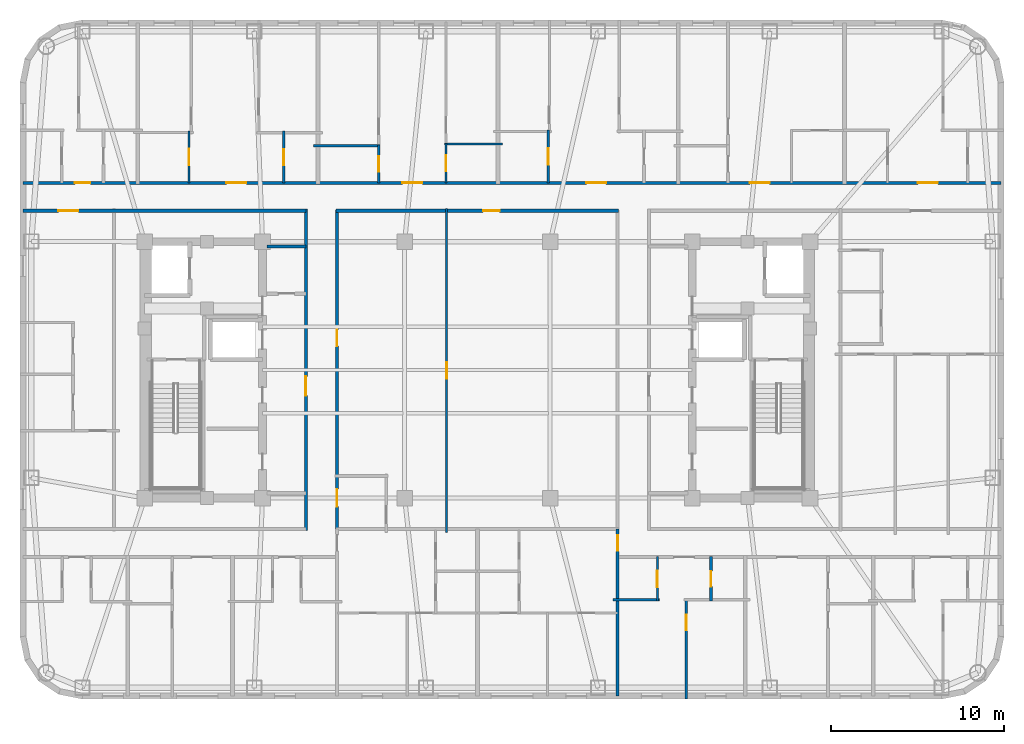
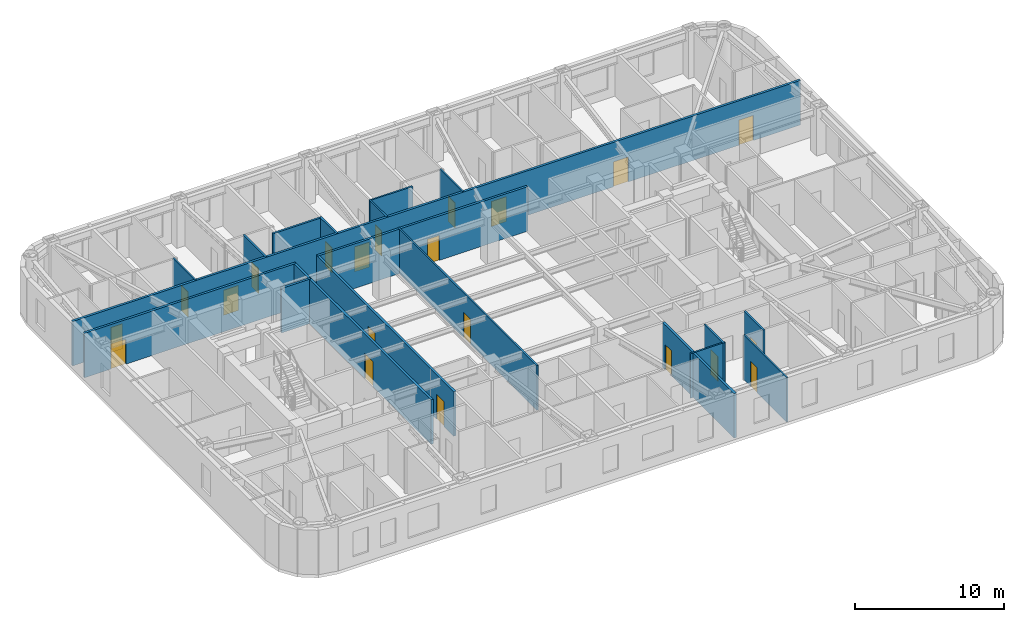
# One storey, part 5 of 11: 21 doors, 19 walls, 21 openings.
"""IFC4 building model written with IfcOpenShell, lengths in metres."""

from ifc_helpers import new_model, si_unit, direction, frame, frame_2d, origin, place, context, subcontext, project, spatial, rectangle, extrude, material, layer, layer_set, type_object, element, fill, save


model = new_model("IFC4")

# Units and contexts
model_context = context("Model", 3, precision=1e-05, world=origin(), true_north=direction((0.0, 1.0)))
body_context = subcontext(model_context, "Body", "Model", "MODEL_VIEW")
ifc_project = project(units=[si_unit("LENGTHUNIT", "METRE"), si_unit("AREAUNIT", "SQUARE_METRE"), si_unit("VOLUMEUNIT", "CUBIC_METRE"), si_unit("PLANEANGLEUNIT", "RADIAN"), si_unit("MASSUNIT", "GRAM", prefix="KILO")], contexts=[model_context])

# Site, building, storey
site_placement = place(None, origin())
site = spatial("IfcSite", under=ifc_project, at=site_placement, CompositionType="ELEMENT")
building_placement = place(site_placement, origin())
building = spatial("IfcBuilding", under=site, at=building_placement, Name="Voryun Gate Residences", CompositionType="ELEMENT")
storey_placement = place(building_placement, frame((0.0, 0.0, 215.800048828125)))
storey = spatial("IfcBuildingStorey", under=building, at=storey_placement, Name="L53", CompositionType="ELEMENT", Elevation=215.800048828125)

# Wall
ifc_material_1 = material(Name="Gypsum acoustic fireboard")
ifc_layer_1 = layer(ifc_material_1, 0.179931640625, Name="W_CORR_RATED_180")
ifc_layer_set_1 = layer_set([ifc_layer_1], Name="Gypsum acoustic fireboard")
wall_type_1 = type_object("IfcWallType", Name="W_CORR_RATED_180", PredefinedType="PARTITIONING", material=ifc_layer_set_1)
wall_1_placement = place(storey_placement, frame((-12.14990234375, 7.1201171875, 0.0), z_axis=(0.0, 0.0, 1.0), x_axis=(1.0, 0.0, 0.0)))
element("IfcWall", 1, at=wall_1_placement, inside=storey, type_object=wall_type_1, Name="Partition wall WP-L53-PLBN-W", PredefinedType="PARTITIONING", context=body_context, shape_type="SweptSolid", body=[
    extrude(rectangle(XDim=2.27001953125, YDim=0.179931640625, at=frame_2d((1.135009765625, 0.0))), origin(), (0.0, 0.0, 1.0), 3.64990234375),
])

# Wall, opening, door
wall_2_placement = place(storey_placement, frame((-9.89990234375, -9.280029296875, 0.0), z_axis=(0.0, 0.0, 1.0), x_axis=(0.0, 1.0, 0.0)))
wall_2 = element("IfcWall", 2, at=wall_2_placement, inside=storey, type_object=wall_type_1, Name="Partition wall WP-L53-PLBW-FULL", PredefinedType="PARTITIONING", context=body_context, shape_type="SweptSolid", body=[
    extrude(rectangle(XDim=18.56005859375, YDim=0.179931640625, at=frame_2d((9.280029296875, 0.0))), origin(), (0.0, 0.0, 1.0), 3.64990234375),
])
opening_1_placement = place(wall_2_placement, frame((7.802001953125, 0.0, 0.0)))
opening_1 = element("IfcOpeningElement", 3, at=opening_1_placement, cuts=wall_2, Name="Opening D-FD60-2", PredefinedType="OPENING", context=body_context, shape_type="SweptSolid", body=[
    extrude(rectangle(XDim=1.10009765625, YDim=2.050048828125, at=frame_2d((0.550048828125, 1.02490234375))), frame((0.0, 0.099853515625, 0.0), z_axis=(0.0, -1.0, 0.0), x_axis=(1.0, 0.0, 0.0)), (0.0, 0.0, 1.0), 0.199951171875),
])
ifc_material_2 = material(Name="Painted steel fire door", Category="steel")
door_type_1 = type_object("IfcDoorType", Name="DR_FD60_FFLOB_1100", OperationType="NOTDEFINED", PredefinedType="DOOR", material=ifc_material_2)
door_1_placement = place(opening_1_placement, origin())
door_1 = element("IfcDoor", 4, at=door_1_placement, inside=storey, type_object=door_type_1, Name="Door DR-L53-PLBW-COR", OperationType="SINGLE_SWING_LEFT", OverallHeight=2.050048828125, OverallWidth=1.10009765625, PredefinedType="DOOR", context=body_context, shape_type="SweptSolid", body=[
    extrude(rectangle(XDim=1.10009765625, YDim=2.050048828125, at=frame_2d((0.550048828125, 1.02490234375))), frame((0.0, 0.02490234375, 0.0), z_axis=(0.0, -1.0, 0.0), x_axis=(1.0, 0.0, 0.0)), (0.0, 0.0, 1.0), 0.050048828125),
])
fill(opening_1, door_1)

wall_3_placement = place(storey_placement, frame((-26.22998046875, 9.18994140625, 0.0), z_axis=(0.0, 0.0, 1.0), x_axis=(1.0, 0.0, 0.0)))
wall_3 = element("IfcWall", 5, at=wall_3_placement, inside=storey, type_object=wall_type_1, Name="Partition wall WP-L53-CWING-WN", PredefinedType="PARTITIONING", context=body_context, shape_type="SweptSolid", body=[
    extrude(rectangle(XDim=16.35009765625, YDim=0.179931640625, at=frame_2d((8.175048828125, 0.0))), origin(), (0.0, 0.0, 1.0), 3.64990234375),
])
opening_2_placement = place(wall_3_placement, frame((2.05078125, 0.0, 0.0)))
opening_2 = element("IfcOpeningElement", 6, at=opening_2_placement, cuts=wall_3, Name="Opening D-UNIT-1", PredefinedType="OPENING", context=body_context, shape_type="SweptSolid", body=[
    extrude(rectangle(XDim=1.14990234375, YDim=2.050048828125, at=frame_2d((0.574951171875, 1.02490234375))), frame((0.0, 0.099853515625, 0.0), z_axis=(0.0, -1.0, 0.0), x_axis=(1.0, 0.0, 0.0)), (0.0, 0.0, 1.0), 0.199951171875),
])
ifc_material_3 = material(Name="Armoured timber-clad fire door", Category="wood")
door_type_2 = type_object("IfcDoorType", Name="DR_UNIT_ENTRY_1150", OperationType="NOTDEFINED", PredefinedType="DOOR", material=ifc_material_3)
door_2_placement = place(opening_2_placement, origin())
door_2 = element("IfcDoor", 7, at=door_2_placement, inside=storey, type_object=door_type_2, Name="Door DR-L53-WE1N", OperationType="SINGLE_SWING_LEFT", OverallHeight=2.050048828125, OverallWidth=1.14990234375, PredefinedType="DOOR", context=body_context, shape_type="SweptSolid", body=[
    extrude(rectangle(XDim=1.14990234375, YDim=2.050048828125, at=frame_2d((0.574951171875, 1.02490234375))), frame((0.0, 0.02490234375, 0.0), z_axis=(0.0, -1.0, 0.0), x_axis=(1.0, 0.0, 0.0)), (0.0, 0.0, 1.0), 0.050048828125),
])
fill(opening_2, door_2)

wall_4_placement = place(storey_placement, frame((-8.14990234375, 9.18994140625, 0.0), z_axis=(0.0, 0.0, 1.0), x_axis=(1.0, 0.0, 0.0)))
wall_4 = element("IfcWall", 8, at=wall_4_placement, inside=storey, type_object=wall_type_1, Name="Partition wall WP-L53-Z3N", PredefinedType="PARTITIONING", context=body_context, shape_type="SweptSolid", body=[
    extrude(rectangle(XDim=16.2998046875, YDim=0.179931640625, at=frame_2d((8.14990234375, 0.0))), origin(), (0.0, 0.0, 1.0), 3.64990234375),
])
opening_3_placement = place(wall_4_placement, frame((8.489990234375, 0.0, 0.0)))
opening_3 = element("IfcOpeningElement", 9, at=opening_3_placement, cuts=wall_4, Name="Opening D-INT-1", PredefinedType="OPENING", context=body_context, shape_type="SweptSolid", body=[
    extrude(rectangle(XDim=0.949951171875, YDim=2.050048828125, at=frame_2d((0.47509765625, 1.02490234375))), frame((0.0, 0.099853515625, 0.0), z_axis=(0.0, -1.0, 0.0), x_axis=(1.0, 0.0, 0.0)), (0.0, 0.0, 1.0), 0.199951171875),
])
ifc_material_4 = material(Name="Architectural oak veneer")
door_type_3 = type_object("IfcDoorType", Name="DR_INT_ROOM_950", OperationType="NOTDEFINED", PredefinedType="DOOR", material=ifc_material_4)
door_3_placement = place(opening_3_placement, origin())
door_3 = element("IfcDoor", 10, at=door_3_placement, inside=storey, type_object=door_type_3, Name="Door DR-L53-CMIDZ3N", OperationType="SINGLE_SWING_LEFT", OverallHeight=2.050048828125, OverallWidth=0.949951171875, PredefinedType="DOOR", context=body_context, shape_type="SweptSolid", body=[
    extrude(rectangle(XDim=0.949951171875, YDim=2.050048828125, at=frame_2d((0.47509765625, 1.02490234375))), frame((0.0, 0.02490234375, 0.0), z_axis=(0.0, -1.0, 0.0), x_axis=(1.0, 0.0, 0.0)), (0.0, 0.0, 1.0), 0.050048828125),
])
fill(opening_3, door_3)

# Wall, openings, doors
wall_5_placement = place(storey_placement, frame((-8.10009765625, -9.22998046875, 0.0), z_axis=(0.0, 0.0, 1.0), x_axis=(0.0, 1.0, 0.0)))
wall_5 = element("IfcWall", 11, at=wall_5_placement, inside=storey, type_object=wall_type_1, Name="Partition wall WP-L53-Z3W", PredefinedType="PARTITIONING", context=body_context, shape_type="SweptSolid", body=[
    extrude(rectangle(XDim=18.4599609375, YDim=0.179931640625, at=frame_2d((9.22998046875, 0.0))), origin(), (0.0, 0.0, 1.0), 3.64990234375),
])
opening_4_placement = place(wall_5_placement, frame((1.345947265625, 0.0, 0.0)))
opening_4 = element("IfcOpeningElement", 12, at=opening_4_placement, cuts=wall_5, Name="Opening D-AWC-1", PredefinedType="OPENING", context=body_context, shape_type="SweptSolid", body=[
    extrude(rectangle(XDim=1.0, YDim=2.050048828125, at=frame_2d((0.5, 1.02490234375))), frame((0.0, 0.099853515625, 0.0), z_axis=(0.0, -1.0, 0.0), x_axis=(1.0, 0.0, 0.0)), (0.0, 0.0, 1.0), 0.199951171875),
])
opening_5_placement = place(wall_5_placement, frame((10.60107421875, 0.0, 0.0)))
opening_5 = element("IfcOpeningElement", 13, at=opening_5_placement, cuts=wall_5, Name="Opening D-INT-1", PredefinedType="OPENING", context=body_context, shape_type="SweptSolid", body=[
    extrude(rectangle(XDim=0.949951171875, YDim=2.050048828125, at=frame_2d((0.47509765625, 1.02490234375))), frame((0.0, 0.099853515625, 0.0), z_axis=(0.0, -1.0, 0.0), x_axis=(1.0, 0.0, 0.0)), (0.0, 0.0, 1.0), 0.199951171875),
])
ifc_material_5 = material(Name="Architectural oak veneer")
door_type_4 = type_object("IfcDoorType", Name="DR_ACC_WC_1000", OperationType="NOTDEFINED", PredefinedType="DOOR", material=ifc_material_5)
door_4_placement = place(opening_4_placement, origin())
door_4 = element("IfcDoor", 14, at=door_4_placement, inside=storey, type_object=door_type_4, Name="Door DR-L53-CMWC-D", OperationType="SINGLE_SWING_LEFT", OverallHeight=2.050048828125, OverallWidth=1.0, PredefinedType="DOOR", context=body_context, shape_type="SweptSolid", body=[
    extrude(rectangle(XDim=1.0, YDim=2.050048828125, at=frame_2d((0.5, 1.02490234375))), frame((0.0, 0.02490234375, 0.0), z_axis=(0.0, -1.0, 0.0), x_axis=(1.0, 0.0, 0.0)), (0.0, 0.0, 1.0), 0.050048828125),
])
fill(opening_4, door_4)
door_5_placement = place(opening_5_placement, origin())
door_5 = element("IfcDoor", 15, at=door_5_placement, inside=storey, type_object=door_type_3, Name="Door DR-L53-CMIDZ3W", OperationType="SINGLE_SWING_RIGHT", OverallHeight=2.050048828125, OverallWidth=0.949951171875, PredefinedType="DOOR", context=body_context, shape_type="SweptSolid", body=[
    extrude(rectangle(XDim=0.949951171875, YDim=2.050048828125, at=frame_2d((0.47509765625, 1.02490234375))), frame((0.0, 0.02490234375, 0.0), z_axis=(0.0, -1.0, 0.0), x_axis=(1.0, 0.0, 0.0)), (0.0, 0.0, 1.0), 0.050048828125),
])
fill(opening_5, door_5)

wall_6_placement = place(storey_placement, frame((-26.22998046875, 10.800048828125, 0.0), z_axis=(0.0, 0.0, 1.0), x_axis=(1.0, 0.0, 0.0)))
wall_6 = element("IfcWall", 16, at=wall_6_placement, inside=storey, type_object=wall_type_1, Name="Partition wall WP-L53-NCORR", PredefinedType="PARTITIONING", context=body_context, shape_type="SweptSolid", body=[
    extrude(rectangle(XDim=56.4599609375, YDim=0.179931640625, at=frame_2d((28.22998046875, 0.0))), origin(), (0.0, 0.0, 1.0), 3.64990234375),
])
opening_6_placement = place(wall_6_placement, frame((2.994140625, 0.0, 0.0)))
opening_6 = element("IfcOpeningElement", 17, at=opening_6_placement, cuts=wall_6, Name="Opening D-INT-2", PredefinedType="OPENING", context=body_context, shape_type="SweptSolid", body=[
    extrude(rectangle(XDim=0.89990234375, YDim=2.050048828125, at=frame_2d((0.449951171875, 1.02490234375))), frame((0.0, 0.099853515625, 0.0), z_axis=(0.0, -1.0, 0.0), x_axis=(1.0, 0.0, 0.0)), (0.0, 0.0, 1.0), 0.199951171875),
])
opening_7_placement = place(wall_6_placement, frame((11.74462890625, 0.0, 0.0)))
opening_7 = element("IfcOpeningElement", 18, at=opening_7_placement, cuts=wall_6, Name="Opening D-UNIT-1", PredefinedType="OPENING", context=body_context, shape_type="SweptSolid", body=[
    extrude(rectangle(XDim=1.14990234375, YDim=2.050048828125, at=frame_2d((0.574951171875, 1.02490234375))), frame((0.0, 0.099853515625, 0.0), z_axis=(0.0, -1.0, 0.0), x_axis=(1.0, 0.0, 0.0)), (0.0, 0.0, 1.0), 0.199951171875),
])
opening_8_placement = place(wall_6_placement, frame((21.907470703125, 0.0, 0.0)))
opening_8 = element("IfcOpeningElement", 19, at=opening_8_placement, cuts=wall_6, Name="Opening D-UNIT-1", PredefinedType="OPENING", context=body_context, shape_type="SweptSolid", body=[
    extrude(rectangle(XDim=1.14990234375, YDim=2.050048828125, at=frame_2d((0.574951171875, 1.02490234375))), frame((0.0, 0.099853515625, 0.0), z_axis=(0.0, -1.0, 0.0), x_axis=(1.0, 0.0, 0.0)), (0.0, 0.0, 1.0), 0.199951171875),
])
opening_9_placement = place(wall_6_placement, frame((32.51611328125, 0.0, 0.0)))
opening_9 = element("IfcOpeningElement", 20, at=opening_9_placement, cuts=wall_6, Name="Opening D-UNIT-1", PredefinedType="OPENING", context=body_context, shape_type="SweptSolid", body=[
    extrude(rectangle(XDim=1.14990234375, YDim=2.050048828125, at=frame_2d((0.574951171875, 1.02490234375))), frame((0.0, 0.099853515625, 0.0), z_axis=(0.0, -1.0, 0.0), x_axis=(1.0, 0.0, 0.0)), (0.0, 0.0, 1.0), 0.199951171875),
])
opening_10_placement = place(wall_6_placement, frame((41.956298828125, 0.0, 0.0)))
opening_10 = element("IfcOpeningElement", 21, at=opening_10_placement, cuts=wall_6, Name="Opening D-UNIT-1", PredefinedType="OPENING", context=body_context, shape_type="SweptSolid", body=[
    extrude(rectangle(XDim=1.14990234375, YDim=2.050048828125, at=frame_2d((0.574951171875, 1.02490234375))), frame((0.0, 0.099853515625, 0.0), z_axis=(0.0, -1.0, 0.0), x_axis=(1.0, 0.0, 0.0)), (0.0, 0.0, 1.0), 0.199951171875),
])
opening_11_placement = place(wall_6_placement, frame((51.656005859375, 0.0, 0.0)))
opening_11 = element("IfcOpeningElement", 22, at=opening_11_placement, cuts=wall_6, Name="Opening D-UNIT-1", PredefinedType="OPENING", context=body_context, shape_type="SweptSolid", body=[
    extrude(rectangle(XDim=1.14990234375, YDim=2.050048828125, at=frame_2d((0.574951171875, 1.02490234375))), frame((0.0, 0.099853515625, 0.0), z_axis=(0.0, -1.0, 0.0), x_axis=(1.0, 0.0, 0.0)), (0.0, 0.0, 1.0), 0.199951171875),
])
ifc_material_6 = material(Name="Architectural oak veneer")
door_type_5 = type_object("IfcDoorType", Name="DR_INT_BATH_900", OperationType="NOTDEFINED", PredefinedType="DOOR", material=ifc_material_6)
door_6_placement = place(opening_6_placement, origin())
door_6 = element("IfcDoor", 23, at=door_6_placement, inside=storey, type_object=door_type_5, Name="Door DR-L53-NENT-1", OperationType="SINGLE_SWING_LEFT", OverallHeight=2.050048828125, OverallWidth=0.89990234375, PredefinedType="DOOR", context=body_context, shape_type="SweptSolid", body=[
    extrude(rectangle(XDim=0.89990234375, YDim=2.050048828125, at=frame_2d((0.449951171875, 1.02490234375))), frame((0.0, 0.02490234375, 0.0), z_axis=(0.0, -1.0, 0.0), x_axis=(1.0, 0.0, 0.0)), (0.0, 0.0, 1.0), 0.050048828125),
])
fill(opening_6, door_6)
door_7_placement = place(opening_7_placement, origin())
door_7 = element("IfcDoor", 24, at=door_7_placement, inside=storey, type_object=door_type_2, Name="Door DR-L53-NENT-2", OperationType="SINGLE_SWING_RIGHT", OverallHeight=2.050048828125, OverallWidth=1.14990234375, PredefinedType="DOOR", context=body_context, shape_type="SweptSolid", body=[
    extrude(rectangle(XDim=1.14990234375, YDim=2.050048828125, at=frame_2d((0.574951171875, 1.02490234375))), frame((0.0, 0.02490234375, 0.0), z_axis=(0.0, -1.0, 0.0), x_axis=(1.0, 0.0, 0.0)), (0.0, 0.0, 1.0), 0.050048828125),
])
fill(opening_7, door_7)
door_8_placement = place(opening_8_placement, origin())
door_8 = element("IfcDoor", 25, at=door_8_placement, inside=storey, type_object=door_type_2, Name="Door DR-L53-NENT-3", OperationType="SINGLE_SWING_LEFT", OverallHeight=2.050048828125, OverallWidth=1.14990234375, PredefinedType="DOOR", context=body_context, shape_type="SweptSolid", body=[
    extrude(rectangle(XDim=1.14990234375, YDim=2.050048828125, at=frame_2d((0.574951171875, 1.02490234375))), frame((0.0, 0.02490234375, 0.0), z_axis=(0.0, -1.0, 0.0), x_axis=(1.0, 0.0, 0.0)), (0.0, 0.0, 1.0), 0.050048828125),
])
fill(opening_8, door_8)
door_9_placement = place(opening_9_placement, origin())
door_9 = element("IfcDoor", 26, at=door_9_placement, inside=storey, type_object=door_type_2, Name="Door DR-L53-NENT-4", OperationType="SINGLE_SWING_RIGHT", OverallHeight=2.050048828125, OverallWidth=1.14990234375, PredefinedType="DOOR", context=body_context, shape_type="SweptSolid", body=[
    extrude(rectangle(XDim=1.14990234375, YDim=2.050048828125, at=frame_2d((0.574951171875, 1.02490234375))), frame((0.0, 0.02490234375, 0.0), z_axis=(0.0, -1.0, 0.0), x_axis=(1.0, 0.0, 0.0)), (0.0, 0.0, 1.0), 0.050048828125),
])
fill(opening_9, door_9)
door_10_placement = place(opening_10_placement, origin())
door_10 = element("IfcDoor", 27, at=door_10_placement, inside=storey, type_object=door_type_2, Name="Door DR-L53-NENT-5", OperationType="SINGLE_SWING_LEFT", OverallHeight=2.050048828125, OverallWidth=1.14990234375, PredefinedType="DOOR", context=body_context, shape_type="SweptSolid", body=[
    extrude(rectangle(XDim=1.14990234375, YDim=2.050048828125, at=frame_2d((0.574951171875, 1.02490234375))), frame((0.0, 0.02490234375, 0.0), z_axis=(0.0, -1.0, 0.0), x_axis=(1.0, 0.0, 0.0)), (0.0, 0.0, 1.0), 0.050048828125),
])
fill(opening_10, door_10)
door_11_placement = place(opening_11_placement, origin())
door_11 = element("IfcDoor", 28, at=door_11_placement, inside=storey, type_object=door_type_2, Name="Door DR-L53-NENT-6", OperationType="SINGLE_SWING_RIGHT", OverallHeight=2.050048828125, OverallWidth=1.14990234375, PredefinedType="DOOR", context=body_context, shape_type="SweptSolid", body=[
    extrude(rectangle(XDim=1.14990234375, YDim=2.050048828125, at=frame_2d((0.574951171875, 1.02490234375))), frame((0.0, 0.02490234375, 0.0), z_axis=(0.0, -1.0, 0.0), x_axis=(1.0, 0.0, 0.0)), (0.0, 0.0, 1.0), 0.050048828125),
])
fill(opening_11, door_11)

# Wall, opening, door
wall_7_placement = place(storey_placement, frame((8.10009765625, -18.830078125, 0.0), z_axis=(0.0, 0.0, 1.0), x_axis=(0.0, 1.0, 0.0)))
wall_7 = element("IfcWall", 29, at=wall_7_placement, inside=storey, type_object=wall_type_1, Name="Partition wall WP-L53-SZV-2", PredefinedType="PARTITIONING", context=body_context, shape_type="SweptSolid", body=[
    extrude(rectangle(XDim=9.64013671875, YDim=0.179931640625, at=frame_2d((4.820068359375, 0.0))), origin(), (0.0, 0.0, 1.0), 3.64990234375),
])
opening_12_placement = place(wall_7_placement, frame((8.389892578125, 0.0, 0.0)))
opening_12 = element("IfcOpeningElement", 30, at=opening_12_placement, cuts=wall_7, Name="Opening D-INT-2", PredefinedType="OPENING", context=body_context, shape_type="SweptSolid", body=[
    extrude(rectangle(XDim=0.89990234375, YDim=2.050048828125, at=frame_2d((0.449951171875, 1.02490234375))), frame((0.0, 0.099853515625, 0.0), z_axis=(0.0, -1.0, 0.0), x_axis=(1.0, 0.0, 0.0)), (0.0, 0.0, 1.0), 0.199951171875),
])
door_12_placement = place(opening_12_placement, origin())
door_12 = element("IfcDoor", 31, at=door_12_placement, inside=storey, type_object=door_type_5, Name="Door DR-L53-SZENT-2", OperationType="SINGLE_SWING_RIGHT", OverallHeight=2.050048828125, OverallWidth=0.89990234375, PredefinedType="DOOR", context=body_context, shape_type="SweptSolid", body=[
    extrude(rectangle(XDim=0.89990234375, YDim=2.050048828125, at=frame_2d((0.449951171875, 1.02490234375))), frame((0.0, 0.02490234375, 0.0), z_axis=(0.0, -1.0, 0.0), x_axis=(1.0, 0.0, 0.0)), (0.0, 0.0, 1.0), 0.050048828125),
])
fill(opening_12, door_12)

ifc_material_7 = material(Name="Gypsum acoustic partition")
ifc_layer_2 = layer(ifc_material_7, 0.125, Name="W_UNIT_PART_125")
ifc_layer_set_2 = layer_set([ifc_layer_2], Name="Gypsum acoustic partition")
wall_type_2 = type_object("IfcWallType", Name="W_UNIT_PART_125", PredefinedType="PARTITIONING", material=ifc_layer_set_2)
wall_8_placement = place(storey_placement, frame((-1.77294921875, -9.3701171875, 0.0), z_axis=(0.0, 0.0, 1.0), x_axis=(0.0, 1.0, 0.0)))
wall_8 = element("IfcWall", 32, at=wall_8_placement, inside=storey, type_object=wall_type_2, Name="Partition wall WP-L53-MIDX-0", PredefinedType="PARTITIONING", context=body_context, shape_type="SweptSolid", body=[
    extrude(rectangle(XDim=18.690185546875, YDim=0.125, at=frame_2d((9.34521484375, 0.0))), origin(), (0.0, 0.0, 1.0), 3.64990234375),
])
opening_13_placement = place(wall_8_placement, frame((8.8701171875, 0.0, 0.0)))
opening_13 = element("IfcOpeningElement", 33, at=opening_13_placement, cuts=wall_8, Name="Opening D-INT-1", PredefinedType="OPENING", context=body_context, shape_type="SweptSolid", body=[
    extrude(rectangle(XDim=0.949951171875, YDim=2.050048828125, at=frame_2d((0.47509765625, 1.02490234375))), frame((0.0, 0.072509765625, 0.0), z_axis=(0.0, -1.0, 0.0), x_axis=(1.0, 0.0, 0.0)), (0.0, 0.0, 1.0), 0.14501953125),
])
door_13_placement = place(opening_13_placement, origin())
door_13 = element("IfcDoor", 34, at=door_13_placement, inside=storey, type_object=door_type_3, Name="Door DR-L53-MIDX-0", OperationType="SINGLE_SWING_LEFT", OverallHeight=2.050048828125, OverallWidth=0.949951171875, PredefinedType="DOOR", context=body_context, shape_type="SweptSolid", body=[
    extrude(rectangle(XDim=0.949951171875, YDim=2.050048828125, at=frame_2d((0.47509765625, 1.02490234375))), frame((0.0, 0.02490234375, 0.0), z_axis=(0.0, -1.0, 0.0), x_axis=(1.0, 0.0, 0.0)), (0.0, 0.0, 1.0), 0.050048828125),
])
fill(opening_13, door_13)

wall_9_placement = place(storey_placement, frame((-16.64111328125, 10.780029296875, 0.0), z_axis=(0.0, 0.0, 1.0), x_axis=(0.0, 1.0, 0.0)))
wall_9 = element("IfcWall", 35, at=wall_9_placement, inside=storey, type_object=wall_type_2, Name="Partition wall WP-L53-N2-IVK", PredefinedType="PARTITIONING", context=body_context, shape_type="SweptSolid", body=[
    extrude(rectangle(XDim=3.0, YDim=0.125, at=frame_2d((1.5, 0.0))), origin(), (0.0, 0.0, 1.0), 3.64990234375),
])
opening_14_placement = place(wall_9_placement, frame((1.02490234375, 0.0, 0.0)))
opening_14 = element("IfcOpeningElement", 36, at=opening_14_placement, cuts=wall_9, Name="Opening D-INT-1", PredefinedType="OPENING", context=body_context, shape_type="SweptSolid", body=[
    extrude(rectangle(XDim=0.949951171875, YDim=2.050048828125, at=frame_2d((0.47509765625, 1.02490234375))), frame((0.0, 0.072509765625, 0.0), z_axis=(0.0, -1.0, 0.0), x_axis=(1.0, 0.0, 0.0)), (0.0, 0.0, 1.0), 0.14501953125),
])
door_14_placement = place(opening_14_placement, origin())
door_14 = element("IfcDoor", 37, at=door_14_placement, inside=storey, type_object=door_type_3, Name="Door DR-L53-N2-DK", OperationType="SINGLE_SWING_LEFT", OverallHeight=2.050048828125, OverallWidth=0.949951171875, PredefinedType="DOOR", context=body_context, shape_type="SweptSolid", body=[
    extrude(rectangle(XDim=0.949951171875, YDim=2.050048828125, at=frame_2d((0.47509765625, 1.02490234375))), frame((0.0, 0.02490234375, 0.0), z_axis=(0.0, -1.0, 0.0), x_axis=(1.0, 0.0, 0.0)), (0.0, 0.0, 1.0), 0.050048828125),
])
fill(opening_14, door_14)

# Wall
wall_10_placement = place(storey_placement, frame((-1.889892578125, 13.0400390625, 0.0), z_axis=(0.0, 0.0, 1.0), x_axis=(1.0, 0.0, 0.0)))
element("IfcWall", 38, at=wall_10_placement, inside=storey, type_object=wall_type_2, Name="Partition wall WP-L53-N3-RHY", PredefinedType="PARTITIONING", context=body_context, shape_type="SweptSolid", body=[
    extrude(rectangle(XDim=3.349853515625, YDim=0.125, at=frame_2d((1.6748046875, 0.0))), origin(), (0.0, 0.0, 1.0), 3.64990234375),
])

# Wall, opening, door
wall_11_placement = place(storey_placement, frame((-1.81005859375, 10.780029296875, 0.0), z_axis=(0.0, 0.0, 1.0), x_axis=(0.0, 1.0, 0.0)))
wall_11 = element("IfcWall", 39, at=wall_11_placement, inside=storey, type_object=wall_type_2, Name="Partition wall WP-L53-N3-RVX1", PredefinedType="PARTITIONING", context=body_context, shape_type="SweptSolid", body=[
    extrude(rectangle(XDim=2.300048828125, YDim=0.125, at=frame_2d((1.14990234375, 0.0))), origin(), (0.0, 0.0, 1.0), 3.64990234375),
])
opening_15_placement = place(wall_11_placement, frame((0.699951171875, 0.0, 0.0)))
opening_15 = element("IfcOpeningElement", 40, at=opening_15_placement, cuts=wall_11, Name="Opening D-INT-2", PredefinedType="OPENING", context=body_context, shape_type="SweptSolid", body=[
    extrude(rectangle(XDim=0.89990234375, YDim=2.050048828125, at=frame_2d((0.449951171875, 1.02490234375))), frame((0.0, 0.072509765625, 0.0), z_axis=(0.0, -1.0, 0.0), x_axis=(1.0, 0.0, 0.0)), (0.0, 0.0, 1.0), 0.14501953125),
])
door_15_placement = place(opening_15_placement, origin())
door_15 = element("IfcDoor", 41, at=door_15_placement, inside=storey, type_object=door_type_5, Name="Door DR-L53-N3-DK", OperationType="SINGLE_SWING_RIGHT", OverallHeight=2.050048828125, OverallWidth=0.89990234375, PredefinedType="DOOR", context=body_context, shape_type="SweptSolid", body=[
    extrude(rectangle(XDim=0.89990234375, YDim=2.050048828125, at=frame_2d((0.449951171875, 1.02490234375))), frame((0.0, 0.02490234375, 0.0), z_axis=(0.0, -1.0, 0.0), x_axis=(1.0, 0.0, 0.0)), (0.0, 0.0, 1.0), 0.050048828125),
])
fill(opening_15, door_15)

wall_12_placement = place(storey_placement, frame((4.096923828125, 10.780029296875, 0.0), z_axis=(0.0, 0.0, 1.0), x_axis=(0.0, 1.0, 0.0)))
wall_12 = element("IfcWall", 42, at=wall_12_placement, inside=storey, type_object=wall_type_2, Name="Partition wall WP-L53-N4-IVK", PredefinedType="PARTITIONING", context=body_context, shape_type="SweptSolid", body=[
    extrude(rectangle(XDim=3.069091796875, YDim=0.125, at=frame_2d((1.53466796875, 0.0))), origin(), (0.0, 0.0, 1.0), 3.64990234375),
])
opening_16_placement = place(wall_12_placement, frame((1.0595703125, 0.0, 0.0)))
opening_16 = element("IfcOpeningElement", 43, at=opening_16_placement, cuts=wall_12, Name="Opening D-INT-1", PredefinedType="OPENING", context=body_context, shape_type="SweptSolid", body=[
    extrude(rectangle(XDim=0.949951171875, YDim=2.050048828125, at=frame_2d((0.47509765625, 1.02490234375))), frame((0.0, 0.072509765625, 0.0), z_axis=(0.0, -1.0, 0.0), x_axis=(1.0, 0.0, 0.0)), (0.0, 0.0, 1.0), 0.14501953125),
])
door_16_placement = place(opening_16_placement, origin())
door_16 = element("IfcDoor", 44, at=door_16_placement, inside=storey, type_object=door_type_3, Name="Door DR-L53-N4-DK", OperationType="SINGLE_SWING_LEFT", OverallHeight=2.050048828125, OverallWidth=0.949951171875, PredefinedType="DOOR", context=body_context, shape_type="SweptSolid", body=[
    extrude(rectangle(XDim=0.949951171875, YDim=2.050048828125, at=frame_2d((0.47509765625, 1.02490234375))), frame((0.0, 0.02490234375, 0.0), z_axis=(0.0, -1.0, 0.0), x_axis=(1.0, 0.0, 0.0)), (0.0, 0.0, 1.0), 0.050048828125),
])
fill(opening_16, door_16)

wall_13_placement = place(storey_placement, frame((12.055908203125, -18.97998046875, 0.0), z_axis=(0.0, 0.0, 1.0), x_axis=(0.0, 1.0, 0.0)))
wall_13 = element("IfcWall", 45, at=wall_13_placement, inside=storey, type_object=wall_type_2, Name="Partition wall WP-L53-S5-OVR", PredefinedType="PARTITIONING", context=body_context, shape_type="SweptSolid", body=[
    extrude(rectangle(XDim=5.794921875, YDim=0.125, at=frame_2d((2.8974609375, 0.0))), origin(), (0.0, 0.0, 1.0), 3.64990234375),
])
opening_17_placement = place(wall_13_placement, frame((3.9541015625, 0.0, 0.0)))
opening_17 = element("IfcOpeningElement", 46, at=opening_17_placement, cuts=wall_13, Name="Opening D-INT-2", PredefinedType="OPENING", context=body_context, shape_type="SweptSolid", body=[
    extrude(rectangle(XDim=0.89990234375, YDim=2.050048828125, at=frame_2d((0.449951171875, 1.02490234375))), frame((0.0, 0.072509765625, 0.0), z_axis=(0.0, -1.0, 0.0), x_axis=(1.0, 0.0, 0.0)), (0.0, 0.0, 1.0), 0.14501953125),
])
door_17_placement = place(opening_17_placement, origin())
door_17 = element("IfcDoor", 47, at=door_17_placement, inside=storey, type_object=door_type_5, Name="Door DR-L53-S5-DMB", OperationType="SINGLE_SWING_RIGHT", OverallHeight=2.050048828125, OverallWidth=0.89990234375, PredefinedType="DOOR", context=body_context, shape_type="SweptSolid", body=[
    extrude(rectangle(XDim=0.89990234375, YDim=2.050048828125, at=frame_2d((0.449951171875, 1.02490234375))), frame((0.0, 0.02490234375, 0.0), z_axis=(0.0, -1.0, 0.0), x_axis=(1.0, 0.0, 0.0)), (0.0, 0.0, 1.0), 0.050048828125),
])
fill(opening_17, door_17)

wall_14_placement = place(storey_placement, frame((10.389892578125, -13.344970703125, 0.0), z_axis=(0.0, 0.0, 1.0), x_axis=(0.0, 1.0, 0.0)))
wall_14 = element("IfcWall", 48, at=wall_14_placement, inside=storey, type_object=wall_type_2, Name="Partition wall WP-L53-S5-IVK", PredefinedType="PARTITIONING", context=body_context, shape_type="SweptSolid", body=[
    extrude(rectangle(XDim=2.56494140625, YDim=0.125, at=frame_2d((1.282470703125, 0.0))), origin(), (0.0, 0.0, 1.0), 3.64990234375),
])
opening_18_placement = place(wall_14_placement, frame((0.8076171875, 0.0, 0.0)))
opening_18 = element("IfcOpeningElement", 49, at=opening_18_placement, cuts=wall_14, Name="Opening D-INT-1", PredefinedType="OPENING", context=body_context, shape_type="SweptSolid", body=[
    extrude(rectangle(XDim=0.949951171875, YDim=2.050048828125, at=frame_2d((0.47509765625, 1.02490234375))), frame((0.0, 0.072509765625, 0.0), z_axis=(0.0, -1.0, 0.0), x_axis=(1.0, 0.0, 0.0)), (0.0, 0.0, 1.0), 0.14501953125),
])
door_18_placement = place(opening_18_placement, origin())
door_18 = element("IfcDoor", 50, at=door_18_placement, inside=storey, type_object=door_type_3, Name="Door DR-L53-S5-DK", OperationType="SINGLE_SWING_LEFT", OverallHeight=2.050048828125, OverallWidth=0.949951171875, PredefinedType="DOOR", context=body_context, shape_type="SweptSolid", body=[
    extrude(rectangle(XDim=0.949951171875, YDim=2.050048828125, at=frame_2d((0.47509765625, 1.02490234375))), frame((0.0, 0.02490234375, 0.0), z_axis=(0.0, -1.0, 0.0), x_axis=(1.0, 0.0, 0.0)), (0.0, 0.0, 1.0), 0.050048828125),
])
fill(opening_18, door_18)

# Wall
wall_15_placement = place(storey_placement, frame((7.820068359375, -13.264892578125, 0.0), z_axis=(0.0, 0.0, 1.0), x_axis=(1.0, 0.0, 0.0)))
element("IfcWall", 51, at=wall_15_placement, inside=storey, type_object=wall_type_2, Name="Partition wall WP-L53-S5-HZK", PredefinedType="PARTITIONING", context=body_context, shape_type="SweptSolid", body=[
    extrude(rectangle(XDim=2.68994140625, YDim=0.125, at=frame_2d((1.344970703125, 0.0))), origin(), (0.0, 0.0, 1.0), 3.64990234375),
])

# Wall, opening, door
ifc_material_8 = material(Name="Gypsum moisture-resistant partition")
ifc_layer_3 = layer(ifc_material_8, 0.14990234375, Name="W_WET_PLUMB_150")
ifc_layer_set_3 = layer_set([ifc_layer_3], Name="Gypsum moisture-resistant partition")
wall_type_3 = type_object("IfcWallType", Name="W_WET_PLUMB_150", PredefinedType="PLUMBINGWALL", material=ifc_layer_set_3)
wall_16_placement = place(storey_placement, frame((-11.179931640625, 10.780029296875, 0.0), z_axis=(0.0, 0.0, 1.0), x_axis=(0.0, 1.0, 0.0)))
wall_16 = element("IfcWall", 52, at=wall_16_placement, inside=storey, type_object=wall_type_3, Name="Partition wall WP-L53-N2-IVB", PredefinedType="PLUMBINGWALL", context=body_context, shape_type="SweptSolid", body=[
    extrude(rectangle(XDim=3.0, YDim=0.14990234375, at=frame_2d((1.5, 0.0))), origin(), (0.0, 0.0, 1.0), 3.64990234375),
])
opening_19_placement = place(wall_16_placement, frame((1.050048828125, 0.0, 0.0)))
opening_19 = element("IfcOpeningElement", 53, at=opening_19_placement, cuts=wall_16, Name="Opening D-INT-2", PredefinedType="OPENING", context=body_context, shape_type="SweptSolid", body=[
    extrude(rectangle(XDim=0.89990234375, YDim=2.050048828125, at=frame_2d((0.449951171875, 1.02490234375))), frame((0.0, 0.0849609375, 0.0), z_axis=(0.0, -1.0, 0.0), x_axis=(1.0, 0.0, 0.0)), (0.0, 0.0, 1.0), 0.169921875),
])
door_19_placement = place(opening_19_placement, origin())
door_19 = element("IfcDoor", 54, at=door_19_placement, inside=storey, type_object=door_type_5, Name="Door DR-L53-N2-DB", OperationType="SINGLE_SWING_RIGHT", OverallHeight=2.050048828125, OverallWidth=0.89990234375, PredefinedType="DOOR", context=body_context, shape_type="SweptSolid", body=[
    extrude(rectangle(XDim=0.89990234375, YDim=2.050048828125, at=frame_2d((0.449951171875, 1.02490234375))), frame((0.0, 0.02490234375, 0.0), z_axis=(0.0, -1.0, 0.0), x_axis=(1.0, 0.0, 0.0)), (0.0, 0.0, 1.0), 0.050048828125),
])
fill(opening_19, door_19)

# Wall
wall_17_placement = place(storey_placement, frame((-9.4599609375, 12.93994140625, 0.0), z_axis=(0.0, 0.0, 1.0), x_axis=(1.0, 0.0, 0.0)))
element("IfcWall", 55, at=wall_17_placement, inside=storey, type_object=wall_type_3, Name="Partition wall WP-L53-N3-LHY", PredefinedType="PLUMBINGWALL", context=body_context, shape_type="SweptSolid", body=[
    extrude(rectangle(XDim=3.849853515625, YDim=0.14990234375, at=frame_2d((1.9248046875, 0.0))), origin(), (0.0, 0.0, 1.0), 3.64990234375),
])

# Wall, opening, door
wall_18_placement = place(storey_placement, frame((-5.68994140625, 10.780029296875, 0.0), z_axis=(0.0, 0.0, 1.0), x_axis=(0.0, 1.0, 0.0)))
wall_18 = element("IfcWall", 56, at=wall_18_placement, inside=storey, type_object=wall_type_3, Name="Partition wall WP-L53-N3-LVX1", PredefinedType="PLUMBINGWALL", context=body_context, shape_type="SweptSolid", body=[
    extrude(rectangle(XDim=2.199951171875, YDim=0.14990234375, at=frame_2d((1.10009765625, 0.0))), origin(), (0.0, 0.0, 1.0), 3.64990234375),
])
opening_20_placement = place(wall_18_placement, frame((0.64990234375, 0.0, 0.0)))
opening_20 = element("IfcOpeningElement", 57, at=opening_20_placement, cuts=wall_18, Name="Opening D-INT-2", PredefinedType="OPENING", context=body_context, shape_type="SweptSolid", body=[
    extrude(rectangle(XDim=0.89990234375, YDim=2.050048828125, at=frame_2d((0.449951171875, 1.02490234375))), frame((0.0, 0.0849609375, 0.0), z_axis=(0.0, -1.0, 0.0), x_axis=(1.0, 0.0, 0.0)), (0.0, 0.0, 1.0), 0.169921875),
])
door_20_placement = place(opening_20_placement, origin())
door_20 = element("IfcDoor", 58, at=door_20_placement, inside=storey, type_object=door_type_5, Name="Door DR-L53-N3-DB", OperationType="SINGLE_SWING_LEFT", OverallHeight=2.050048828125, OverallWidth=0.89990234375, PredefinedType="DOOR", context=body_context, shape_type="SweptSolid", body=[
    extrude(rectangle(XDim=0.89990234375, YDim=2.050048828125, at=frame_2d((0.449951171875, 1.02490234375))), frame((0.0, 0.02490234375, 0.0), z_axis=(0.0, -1.0, 0.0), x_axis=(1.0, 0.0, 0.0)), (0.0, 0.0, 1.0), 0.050048828125),
])
fill(opening_20, door_20)

wall_19_placement = place(storey_placement, frame((13.486083984375, -13.344970703125, 0.0), z_axis=(0.0, 0.0, 1.0), x_axis=(0.0, 1.0, 0.0)))
wall_19 = element("IfcWall", 59, at=wall_19_placement, inside=storey, type_object=wall_type_3, Name="Partition wall WP-L53-S5-IVB", PredefinedType="PLUMBINGWALL", context=body_context, shape_type="SweptSolid", body=[
    extrude(rectangle(XDim=2.56494140625, YDim=0.14990234375, at=frame_2d((1.282470703125, 0.0))), origin(), (0.0, 0.0, 1.0), 3.64990234375),
])
opening_21_placement = place(wall_19_placement, frame((0.83251953125, 0.0, 0.0)))
opening_21 = element("IfcOpeningElement", 60, at=opening_21_placement, cuts=wall_19, Name="Opening D-INT-2", PredefinedType="OPENING", context=body_context, shape_type="SweptSolid", body=[
    extrude(rectangle(XDim=0.89990234375, YDim=2.050048828125, at=frame_2d((0.449951171875, 1.02490234375))), frame((0.0, 0.0849609375, 0.0), z_axis=(0.0, -1.0, 0.0), x_axis=(1.0, 0.0, 0.0)), (0.0, 0.0, 1.0), 0.169921875),
])
door_21_placement = place(opening_21_placement, origin())
door_21 = element("IfcDoor", 61, at=door_21_placement, inside=storey, type_object=door_type_5, Name="Door DR-L53-S5-DB", OperationType="SINGLE_SWING_RIGHT", OverallHeight=2.050048828125, OverallWidth=0.89990234375, PredefinedType="DOOR", context=body_context, shape_type="SweptSolid", body=[
    extrude(rectangle(XDim=0.89990234375, YDim=2.050048828125, at=frame_2d((0.449951171875, 1.02490234375))), frame((0.0, 0.02490234375, 0.0), z_axis=(0.0, -1.0, 0.0), x_axis=(1.0, 0.0, 0.0)), (0.0, 0.0, 1.0), 0.050048828125),
])
fill(opening_21, door_21)

save(model, "model.ifc")
